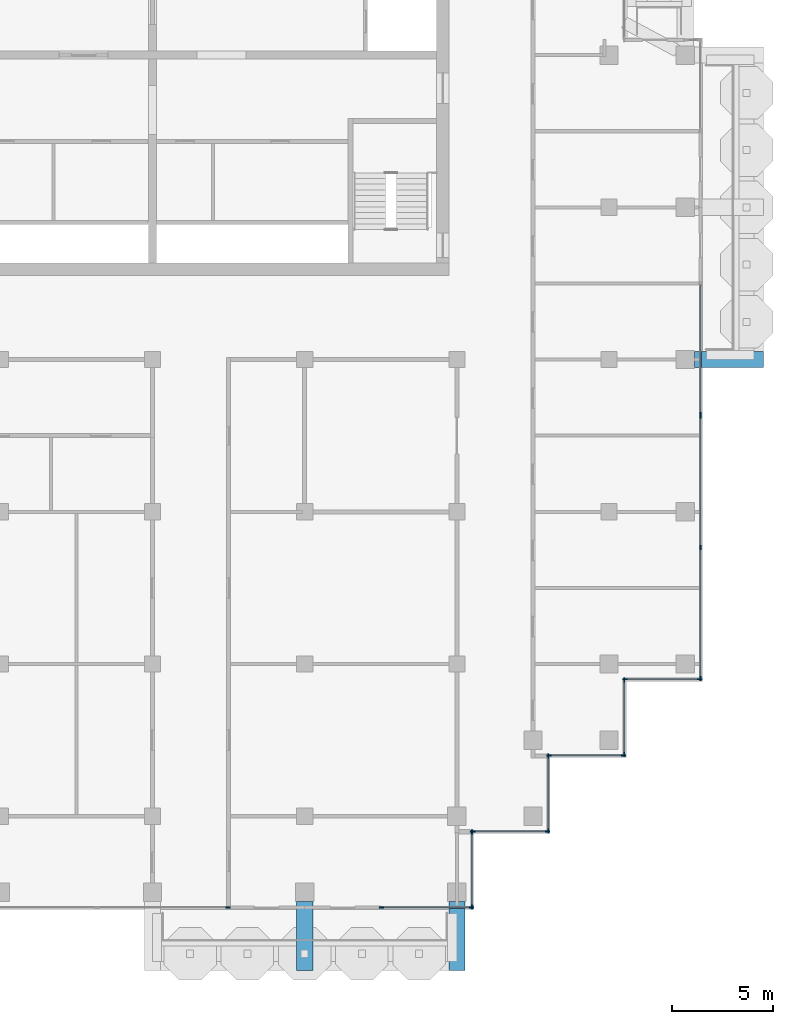
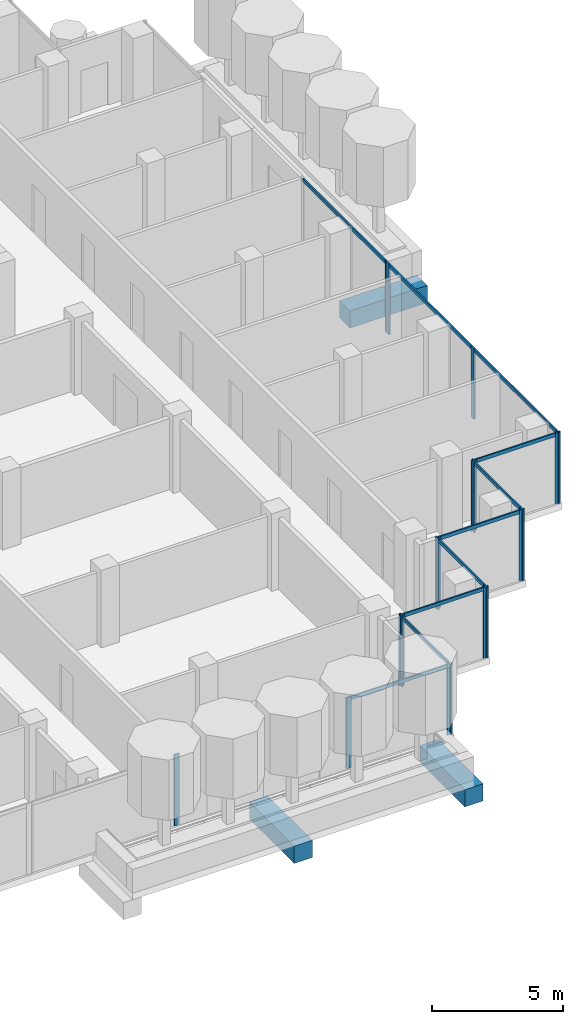
# One storey, part 4 of 19: 29 members, 3 beams, 10 elements without a shape of their own.
"""IFC4 building model written with IfcOpenShell, lengths in metres."""

from ifc_helpers import new_model, si_unit, direction, frame, origin, origin_2d, place, context, subcontext, project, spatial, rectangle, extrude, material, material_profile, profile_set, type_object, element, aggregate, save


model = new_model("IFC4")

# Units and contexts
model_context = context("Model", 3, precision=1e-05, world=origin(), true_north=direction((0.0, 1.0)))
body_context = subcontext(model_context, "Body", "Model", "MODEL_VIEW")
ifc_project = project(units=[si_unit("LENGTHUNIT", "METRE"), si_unit("AREAUNIT", "SQUARE_METRE"), si_unit("VOLUMEUNIT", "CUBIC_METRE"), si_unit("PLANEANGLEUNIT", "RADIAN"), si_unit("MASSUNIT", "GRAM", prefix="KILO")], contexts=[model_context])

# Site, building, storey
site_placement = place(None, origin())
site = spatial("IfcSite", under=ifc_project, at=site_placement, CompositionType="ELEMENT")
building_placement = place(site_placement, origin())
building = spatial("IfcBuilding", under=site, at=building_placement, Name="Pilkhan Gate Tower", CompositionType="ELEMENT")
storey_placement = place(building_placement, frame((0.0, 0.0, 246.300048828125)))
storey = spatial("IfcBuildingStorey", under=building, at=storey_placement, Name="L64", CompositionType="ELEMENT", Elevation=246.300048828125)

# Beams
ifc_material_1 = material(Name="Concrete C50/60", Category="concrete")
ifc_material_profile_1 = material_profile(ifc_material_1, rectangle(XDim=0.800048828125, YDim=0.800048828125, at=origin_2d()), Name="RC 800x800")
ifc_profile_set_1 = profile_set([ifc_material_profile_1], Name="Concrete C50/60")
beam_type = type_object("IfcBeamType", Name="Cantilever beam CB2 RC 800x800 C50/60", PredefinedType="BEAM", material=ifc_profile_set_1)
for number, where, z_axis, x_axis, name in (
    (1, (82.5, 40.800048828125, -0.699951171875), (0.0, -1.0, 0.0), (1.0, 0.0, 0.0), "Balcony beam S.2 L64"),
    (2, (90.0, 40.800048828125, -0.699951171875), (0.0, -1.0, 0.0), (1.0, 0.0, 0.0), "Balcony beam S.3 L64"),
    (3, (101.699951171875, 67.5, -0.699951171875), (1.0, 0.0, 0.0), (0.0, 1.0, 0.0), "Balcony beam E.1 L64"),
):
    element("IfcBeam", number, at=place(storey_placement, frame(where, z_axis=z_axis, x_axis=x_axis)), inside=storey, type_object=beam_type, Name=name, PredefinedType="BEAM", context=body_context, shape_type="SweptSolid", body=[
        extrude(rectangle(XDim=0.800048828125, YDim=0.800048828125, at=origin_2d()), origin(), (0.0, 0.0, 1.0), 3.400146484375),
    ])

# Curtain wall, members
ifc_material_2 = material(Name="Pale anodised aluminium, clear low-iron double glazing", Category="aluminium")
curtain_wall_type = type_object("IfcCurtainWallType", Name="Office unitised curtain wall CW-O2", PredefinedType="USERDEFINED", material=ifc_material_2)
curtain_wall_1_placement = place(storey_placement, origin())
curtain_wall_1 = element("IfcCurtainWall", 4, at=curtain_wall_1_placement, inside=storey, type_object=curtain_wall_type, Name="Office unitised curtain wall CW-O2 L64 E", ObjectType="UNITISED CURTAIN WALL", PredefinedType="USERDEFINED")
ifc_material_3 = material(Name="Pale anodised aluminium", Category="aluminium")
ifc_material_profile_2 = material_profile(ifc_material_3, rectangle(XDim=0.06494140625, YDim=0.22509765625, at=origin_2d()), Name="Mullion 225x65")
ifc_profile_set_2 = profile_set([ifc_material_profile_2], Name="Pale anodised aluminium")
member_type_1 = type_object("IfcMemberType", Name="Mullion CW-O2 225x65", PredefinedType="MULLION", material=ifc_profile_set_2)
member_1_placement = place(storey_placement, frame((102.0, 51.782470703125, 0.0), z_axis=(0.0, 0.0, 1.0), x_axis=(-1.0, 0.0, 0.0)))
member_1 = element("IfcMember", 5, at=member_1_placement, type_object=member_type_1, Name="CW-O2 mullion 1", PredefinedType="MULLION", context=body_context, shape_type="SweptSolid", body=[
    extrude(rectangle(XDim=0.06494140625, YDim=0.22509765625, at=origin_2d()), origin(), (0.0, 0.0, 1.0), 3.300048828125),
])
member_2_placement = place(storey_placement, frame((102.0, 58.25, 0.0), z_axis=(0.0, 0.0, 1.0), x_axis=(-1.0, 0.0, 0.0)))
member_2 = element("IfcMember", 6, at=member_2_placement, type_object=member_type_1, Name="CW-O2 mullion 2", PredefinedType="MULLION", context=body_context, shape_type="SweptSolid", body=[
    extrude(rectangle(XDim=0.06494140625, YDim=0.22509765625, at=origin_2d()), origin(), (0.0, 0.0, 1.0), 3.300048828125),
])
member_3_placement = place(storey_placement, frame((102.0, 64.717529296875, 0.0), z_axis=(0.0, 0.0, 1.0), x_axis=(-1.0, 0.0, 0.0)))
member_3 = element("IfcMember", 7, at=member_3_placement, type_object=member_type_1, Name="CW-O2 mullion 3", PredefinedType="MULLION", context=body_context, shape_type="SweptSolid", body=[
    extrude(rectangle(XDim=0.06494140625, YDim=0.22509765625, at=origin_2d()), origin(), (0.0, 0.0, 1.0), 3.300048828125),
])

# Curtain wall, member
curtain_wall_2_placement = place(storey_placement, origin())
curtain_wall_2 = element("IfcCurtainWall", 8, at=curtain_wall_2_placement, inside=storey, type_object=curtain_wall_type, Name="Office unitised curtain wall CW-O2 L64 E", ObjectType="UNITISED CURTAIN WALL", PredefinedType="USERDEFINED")
member_4_placement = place(storey_placement, frame((102.0, 64.782470703125, 0.0), z_axis=(0.0, 0.0, 1.0), x_axis=(-1.0, 0.0, 0.0)))
member_4 = element("IfcMember", 9, at=member_4_placement, type_object=member_type_1, Name="CW-O2 mullion 1", PredefinedType="MULLION", context=body_context, shape_type="SweptSolid", body=[
    extrude(rectangle(XDim=0.06494140625, YDim=0.22509765625, at=origin_2d()), origin(), (0.0, 0.0, 1.0), 3.300048828125),
])

curtain_wall_3_placement = place(storey_placement, origin())
curtain_wall_3 = element("IfcCurtainWall", 10, at=curtain_wall_3_placement, inside=storey, type_object=curtain_wall_type, Name="Office unitised curtain wall CW-O2 L64 S", ObjectType="UNITISED CURTAIN WALL", PredefinedType="USERDEFINED")
member_5_placement = place(storey_placement, frame((78.717529296875, 40.5, 0.0), z_axis=(0.0, 0.0, 1.0), x_axis=(0.0, 1.0, 0.0)))
member_5 = element("IfcMember", 11, at=member_5_placement, type_object=member_type_1, Name="CW-O2 mullion 2", PredefinedType="MULLION", context=body_context, shape_type="SweptSolid", body=[
    extrude(rectangle(XDim=0.06494140625, YDim=0.22509765625, at=origin_2d()), origin(), (0.0, 0.0, 1.0), 3.300048828125),
])
aggregate(curtain_wall_3, [member_5])

# Curtain wall, members
curtain_wall_4_placement = place(storey_placement, origin())
curtain_wall_4 = element("IfcCurtainWall", 12, at=curtain_wall_4_placement, inside=storey, type_object=curtain_wall_type, Name="Office unitised curtain wall CW-O2 L64 S", ObjectType="UNITISED CURTAIN WALL", PredefinedType="USERDEFINED")
member_6_placement = place(storey_placement, frame((86.282470703125, 40.5, 0.0), z_axis=(0.0, 0.0, 1.0), x_axis=(0.0, 1.0, 0.0)))
member_6 = element("IfcMember", 13, at=member_6_placement, type_object=member_type_1, Name="CW-O2 mullion 1", PredefinedType="MULLION", context=body_context, shape_type="SweptSolid", body=[
    extrude(rectangle(XDim=0.06494140625, YDim=0.22509765625, at=origin_2d()), origin(), (0.0, 0.0, 1.0), 3.300048828125),
])
member_7_placement = place(storey_placement, frame((90.717529296875, 40.5, 0.0), z_axis=(0.0, 0.0, 1.0), x_axis=(0.0, 1.0, 0.0)))
member_7 = element("IfcMember", 14, at=member_7_placement, type_object=member_type_1, Name="CW-O2 mullion 2", PredefinedType="MULLION", context=body_context, shape_type="SweptSolid", body=[
    extrude(rectangle(XDim=0.06494140625, YDim=0.22509765625, at=origin_2d()), origin(), (0.0, 0.0, 1.0), 3.300048828125),
])

curtain_wall_5_placement = place(storey_placement, origin())
curtain_wall_5 = element("IfcCurtainWall", 15, at=curtain_wall_5_placement, inside=storey, type_object=curtain_wall_type, Name="Office unitised curtain wall CW-O2 L64 E", ObjectType="UNITISED CURTAIN WALL", PredefinedType="USERDEFINED")
member_8_placement = place(storey_placement, frame((90.75, 40.532470703125, 0.0), z_axis=(0.0, 0.0, 1.0), x_axis=(-1.0, 0.0, 0.0)))
member_8 = element("IfcMember", 16, at=member_8_placement, type_object=member_type_1, Name="CW-O2 mullion 1", PredefinedType="MULLION", context=body_context, shape_type="SweptSolid", body=[
    extrude(rectangle(XDim=0.06494140625, YDim=0.22509765625, at=origin_2d()), origin(), (0.0, 0.0, 1.0), 3.300048828125),
])
member_9_placement = place(storey_placement, frame((90.75, 44.217529296875, 0.0), z_axis=(0.0, 0.0, 1.0), x_axis=(-1.0, 0.0, 0.0)))
member_9 = element("IfcMember", 17, at=member_9_placement, type_object=member_type_1, Name="CW-O2 mullion 2", PredefinedType="MULLION", context=body_context, shape_type="SweptSolid", body=[
    extrude(rectangle(XDim=0.06494140625, YDim=0.22509765625, at=origin_2d()), origin(), (0.0, 0.0, 1.0), 3.300048828125),
])

curtain_wall_6_placement = place(storey_placement, origin())
curtain_wall_6 = element("IfcCurtainWall", 18, at=curtain_wall_6_placement, inside=storey, type_object=curtain_wall_type, Name="Office unitised curtain wall CW-O2 L64 S", ObjectType="UNITISED CURTAIN WALL", PredefinedType="USERDEFINED")
member_10_placement = place(storey_placement, frame((90.782470703125, 44.25, 0.0), z_axis=(0.0, 0.0, 1.0), x_axis=(0.0, 1.0, 0.0)))
member_10 = element("IfcMember", 19, at=member_10_placement, type_object=member_type_1, Name="CW-O2 mullion 1", PredefinedType="MULLION", context=body_context, shape_type="SweptSolid", body=[
    extrude(rectangle(XDim=0.06494140625, YDim=0.22509765625, at=origin_2d()), origin(), (0.0, 0.0, 1.0), 3.300048828125),
])
member_11_placement = place(storey_placement, frame((94.467529296875, 44.25, 0.0), z_axis=(0.0, 0.0, 1.0), x_axis=(0.0, 1.0, 0.0)))
member_11 = element("IfcMember", 20, at=member_11_placement, type_object=member_type_1, Name="CW-O2 mullion 2", PredefinedType="MULLION", context=body_context, shape_type="SweptSolid", body=[
    extrude(rectangle(XDim=0.06494140625, YDim=0.22509765625, at=origin_2d()), origin(), (0.0, 0.0, 1.0), 3.300048828125),
])

curtain_wall_7_placement = place(storey_placement, origin())
curtain_wall_7 = element("IfcCurtainWall", 21, at=curtain_wall_7_placement, inside=storey, type_object=curtain_wall_type, Name="Office unitised curtain wall CW-O2 L64 E", ObjectType="UNITISED CURTAIN WALL", PredefinedType="USERDEFINED")
member_12_placement = place(storey_placement, frame((94.5, 44.282470703125, 0.0), z_axis=(0.0, 0.0, 1.0), x_axis=(-1.0, 0.0, 0.0)))
member_12 = element("IfcMember", 22, at=member_12_placement, type_object=member_type_1, Name="CW-O2 mullion 1", PredefinedType="MULLION", context=body_context, shape_type="SweptSolid", body=[
    extrude(rectangle(XDim=0.06494140625, YDim=0.22509765625, at=origin_2d()), origin(), (0.0, 0.0, 1.0), 3.300048828125),
])
member_13_placement = place(storey_placement, frame((94.5, 47.967529296875, 0.0), z_axis=(0.0, 0.0, 1.0), x_axis=(-1.0, 0.0, 0.0)))
member_13 = element("IfcMember", 23, at=member_13_placement, type_object=member_type_1, Name="CW-O2 mullion 2", PredefinedType="MULLION", context=body_context, shape_type="SweptSolid", body=[
    extrude(rectangle(XDim=0.06494140625, YDim=0.22509765625, at=origin_2d()), origin(), (0.0, 0.0, 1.0), 3.300048828125),
])

curtain_wall_8_placement = place(storey_placement, origin())
curtain_wall_8 = element("IfcCurtainWall", 24, at=curtain_wall_8_placement, inside=storey, type_object=curtain_wall_type, Name="Office unitised curtain wall CW-O2 L64 S", ObjectType="UNITISED CURTAIN WALL", PredefinedType="USERDEFINED")
member_14_placement = place(storey_placement, frame((94.532470703125, 48.0, 0.0), z_axis=(0.0, 0.0, 1.0), x_axis=(0.0, 1.0, 0.0)))
member_14 = element("IfcMember", 25, at=member_14_placement, type_object=member_type_1, Name="CW-O2 mullion 1", PredefinedType="MULLION", context=body_context, shape_type="SweptSolid", body=[
    extrude(rectangle(XDim=0.06494140625, YDim=0.22509765625, at=origin_2d()), origin(), (0.0, 0.0, 1.0), 3.300048828125),
])
member_15_placement = place(storey_placement, frame((98.217529296875, 48.0, 0.0), z_axis=(0.0, 0.0, 1.0), x_axis=(0.0, 1.0, 0.0)))
member_15 = element("IfcMember", 26, at=member_15_placement, type_object=member_type_1, Name="CW-O2 mullion 2", PredefinedType="MULLION", context=body_context, shape_type="SweptSolid", body=[
    extrude(rectangle(XDim=0.06494140625, YDim=0.22509765625, at=origin_2d()), origin(), (0.0, 0.0, 1.0), 3.300048828125),
])

curtain_wall_9_placement = place(storey_placement, origin())
curtain_wall_9 = element("IfcCurtainWall", 27, at=curtain_wall_9_placement, inside=storey, type_object=curtain_wall_type, Name="Office unitised curtain wall CW-O2 L64 E", ObjectType="UNITISED CURTAIN WALL", PredefinedType="USERDEFINED")
member_16_placement = place(storey_placement, frame((98.25, 48.032470703125, 0.0), z_axis=(0.0, 0.0, 1.0), x_axis=(-1.0, 0.0, 0.0)))
member_16 = element("IfcMember", 28, at=member_16_placement, type_object=member_type_1, Name="CW-O2 mullion 1", PredefinedType="MULLION", context=body_context, shape_type="SweptSolid", body=[
    extrude(rectangle(XDim=0.06494140625, YDim=0.22509765625, at=origin_2d()), origin(), (0.0, 0.0, 1.0), 3.300048828125),
])
member_17_placement = place(storey_placement, frame((98.25, 51.717529296875, 0.0), z_axis=(0.0, 0.0, 1.0), x_axis=(-1.0, 0.0, 0.0)))
member_17 = element("IfcMember", 29, at=member_17_placement, type_object=member_type_1, Name="CW-O2 mullion 2", PredefinedType="MULLION", context=body_context, shape_type="SweptSolid", body=[
    extrude(rectangle(XDim=0.06494140625, YDim=0.22509765625, at=origin_2d()), origin(), (0.0, 0.0, 1.0), 3.300048828125),
])

curtain_wall_10_placement = place(storey_placement, origin())
curtain_wall_10 = element("IfcCurtainWall", 30, at=curtain_wall_10_placement, inside=storey, type_object=curtain_wall_type, Name="Office unitised curtain wall CW-O2 L64 S", ObjectType="UNITISED CURTAIN WALL", PredefinedType="USERDEFINED")
member_18_placement = place(storey_placement, frame((98.282470703125, 51.75, 0.0), z_axis=(0.0, 0.0, 1.0), x_axis=(0.0, 1.0, 0.0)))
member_18 = element("IfcMember", 31, at=member_18_placement, type_object=member_type_1, Name="CW-O2 mullion 1", PredefinedType="MULLION", context=body_context, shape_type="SweptSolid", body=[
    extrude(rectangle(XDim=0.06494140625, YDim=0.22509765625, at=origin_2d()), origin(), (0.0, 0.0, 1.0), 3.300048828125),
])
member_19_placement = place(storey_placement, frame((101.967529296875, 51.75, 0.0), z_axis=(0.0, 0.0, 1.0), x_axis=(0.0, 1.0, 0.0)))
member_19 = element("IfcMember", 32, at=member_19_placement, type_object=member_type_1, Name="CW-O2 mullion 2", PredefinedType="MULLION", context=body_context, shape_type="SweptSolid", body=[
    extrude(rectangle(XDim=0.06494140625, YDim=0.22509765625, at=origin_2d()), origin(), (0.0, 0.0, 1.0), 3.300048828125),
])

# Member
ifc_material_profile_3 = material_profile(ifc_material_3, rectangle(XDim=0.06494140625, YDim=0.1650390625, at=origin_2d()), Name="Transom 165x65")
ifc_profile_set_3 = profile_set([ifc_material_profile_3], Name="Pale anodised aluminium")
member_type_2 = type_object("IfcMemberType", Name="Transom CW-O2 165x65", PredefinedType="USERDEFINED", material=ifc_profile_set_3)
member_20_placement = place(storey_placement, frame((102.0, 51.81494140625, 3.217529296875), z_axis=(0.0, 1.0, 0.0), x_axis=(-1.0, 0.0, 0.0)))
member_20 = element("IfcMember", 33, at=member_20_placement, type_object=member_type_2, Name="CW-O2 transom 1", ObjectType="TRANSOM", PredefinedType="USERDEFINED", context=body_context, shape_type="SweptSolid", body=[
    extrude(rectangle(XDim=0.06494140625, YDim=0.1650390625, at=origin_2d()), origin(), (0.0, 0.0, 1.0), 6.402587890625),
])

member_21_placement = place(storey_placement, frame((102.0, 58.282470703125, 3.217529296875), z_axis=(0.0, 1.0, 0.0), x_axis=(-1.0, 0.0, 0.0)))
member_21 = element("IfcMember", 34, at=member_21_placement, type_object=member_type_2, Name="CW-O2 transom 2", ObjectType="TRANSOM", PredefinedType="USERDEFINED", context=body_context, shape_type="SweptSolid", body=[
    extrude(rectangle(XDim=0.06494140625, YDim=0.1650390625, at=origin_2d()), origin(), (0.0, 0.0, 1.0), 6.402587890625),
])

aggregate(curtain_wall_1, [member_1, member_2, member_3, member_20, member_21])

member_22_placement = place(storey_placement, frame((102.0, 64.81494140625, 3.217529296875), z_axis=(0.0, 1.0, 0.0), x_axis=(-1.0, 0.0, 0.0)))
member_22 = element("IfcMember", 35, at=member_22_placement, type_object=member_type_2, Name="CW-O2 transom 1", ObjectType="TRANSOM", PredefinedType="USERDEFINED", context=body_context, shape_type="SweptSolid", body=[
    extrude(rectangle(XDim=0.06494140625, YDim=0.1650390625, at=origin_2d()), origin(), (0.0, 0.0, 1.0), 6.3701171875),
])

aggregate(curtain_wall_2, [member_4, member_22])

member_23_placement = place(storey_placement, frame((86.31494140625, 40.5, 3.217529296875), z_axis=(1.0, 0.0, 0.0), x_axis=(0.0, 1.0, 0.0)))
member_23 = element("IfcMember", 36, at=member_23_placement, type_object=member_type_2, Name="CW-O2 transom 1", ObjectType="TRANSOM", PredefinedType="USERDEFINED", context=body_context, shape_type="SweptSolid", body=[
    extrude(rectangle(XDim=0.06494140625, YDim=0.1650390625, at=origin_2d()), origin(), (0.0, 0.0, 1.0), 4.3701171875),
])

aggregate(curtain_wall_4, [member_6, member_7, member_23])

member_24_placement = place(storey_placement, frame((90.75, 40.56494140625, 3.217529296875), z_axis=(0.0, 1.0, 0.0), x_axis=(-1.0, 0.0, 0.0)))
member_24 = element("IfcMember", 37, at=member_24_placement, type_object=member_type_2, Name="CW-O2 transom 1", ObjectType="TRANSOM", PredefinedType="USERDEFINED", context=body_context, shape_type="SweptSolid", body=[
    extrude(rectangle(XDim=0.06494140625, YDim=0.1650390625, at=origin_2d()), origin(), (0.0, 0.0, 1.0), 3.6201171875),
])

aggregate(curtain_wall_5, [member_8, member_9, member_24])

member_25_placement = place(storey_placement, frame((90.81494140625, 44.25, 3.217529296875), z_axis=(1.0, 0.0, 0.0), x_axis=(0.0, 1.0, 0.0)))
member_25 = element("IfcMember", 38, at=member_25_placement, type_object=member_type_2, Name="CW-O2 transom 1", ObjectType="TRANSOM", PredefinedType="USERDEFINED", context=body_context, shape_type="SweptSolid", body=[
    extrude(rectangle(XDim=0.06494140625, YDim=0.1650390625, at=origin_2d()), origin(), (0.0, 0.0, 1.0), 3.6201171875),
])

aggregate(curtain_wall_6, [member_10, member_11, member_25])

member_26_placement = place(storey_placement, frame((94.5, 44.31494140625, 3.217529296875), z_axis=(0.0, 1.0, 0.0), x_axis=(-1.0, 0.0, 0.0)))
member_26 = element("IfcMember", 39, at=member_26_placement, type_object=member_type_2, Name="CW-O2 transom 1", ObjectType="TRANSOM", PredefinedType="USERDEFINED", context=body_context, shape_type="SweptSolid", body=[
    extrude(rectangle(XDim=0.06494140625, YDim=0.1650390625, at=origin_2d()), origin(), (0.0, 0.0, 1.0), 3.6201171875),
])

aggregate(curtain_wall_7, [member_12, member_13, member_26])

member_27_placement = place(storey_placement, frame((94.56494140625, 48.0, 3.217529296875), z_axis=(1.0, 0.0, 0.0), x_axis=(0.0, 1.0, 0.0)))
member_27 = element("IfcMember", 40, at=member_27_placement, type_object=member_type_2, Name="CW-O2 transom 1", ObjectType="TRANSOM", PredefinedType="USERDEFINED", context=body_context, shape_type="SweptSolid", body=[
    extrude(rectangle(XDim=0.06494140625, YDim=0.1650390625, at=origin_2d()), origin(), (0.0, 0.0, 1.0), 3.6201171875),
])

aggregate(curtain_wall_8, [member_14, member_15, member_27])

member_28_placement = place(storey_placement, frame((98.25, 48.06494140625, 3.217529296875), z_axis=(0.0, 1.0, 0.0), x_axis=(-1.0, 0.0, 0.0)))
member_28 = element("IfcMember", 41, at=member_28_placement, type_object=member_type_2, Name="CW-O2 transom 1", ObjectType="TRANSOM", PredefinedType="USERDEFINED", context=body_context, shape_type="SweptSolid", body=[
    extrude(rectangle(XDim=0.06494140625, YDim=0.1650390625, at=origin_2d()), origin(), (0.0, 0.0, 1.0), 3.6201171875),
])

aggregate(curtain_wall_9, [member_16, member_17, member_28])

member_29_placement = place(storey_placement, frame((98.31494140625, 51.75, 3.217529296875), z_axis=(1.0, 0.0, 0.0), x_axis=(0.0, 1.0, 0.0)))
member_29 = element("IfcMember", 42, at=member_29_placement, type_object=member_type_2, Name="CW-O2 transom 1", ObjectType="TRANSOM", PredefinedType="USERDEFINED", context=body_context, shape_type="SweptSolid", body=[
    extrude(rectangle(XDim=0.06494140625, YDim=0.1650390625, at=origin_2d()), origin(), (0.0, 0.0, 1.0), 3.6201171875),
])

aggregate(curtain_wall_10, [member_18, member_19, member_29])

save(model, "model.ifc")
